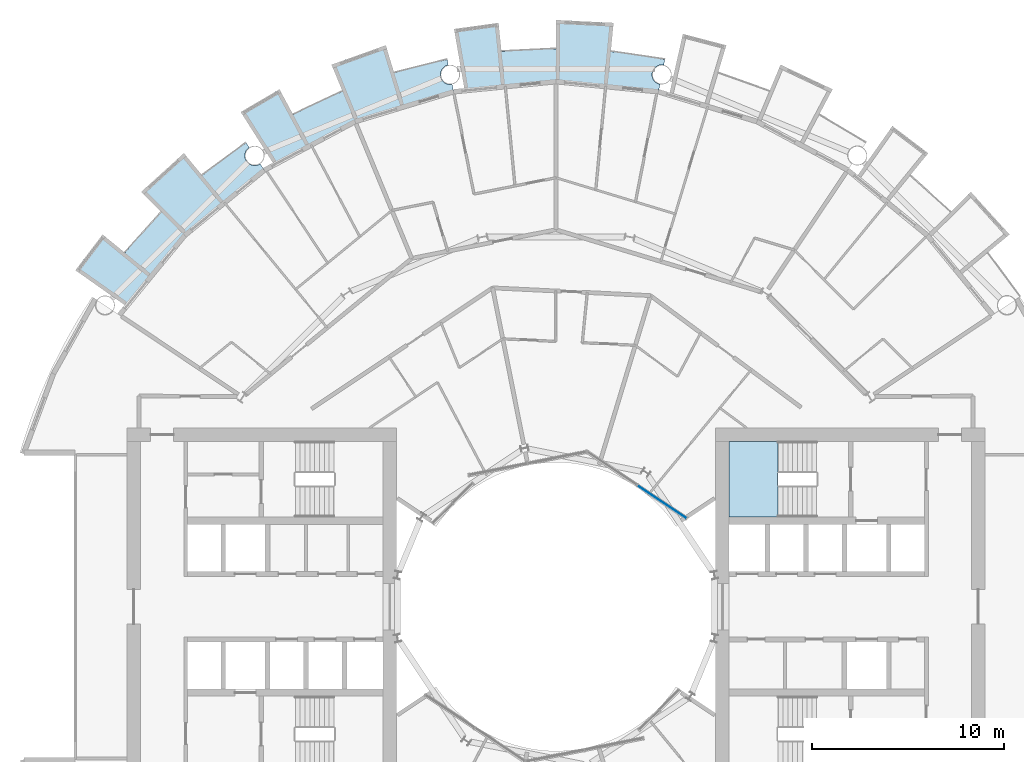
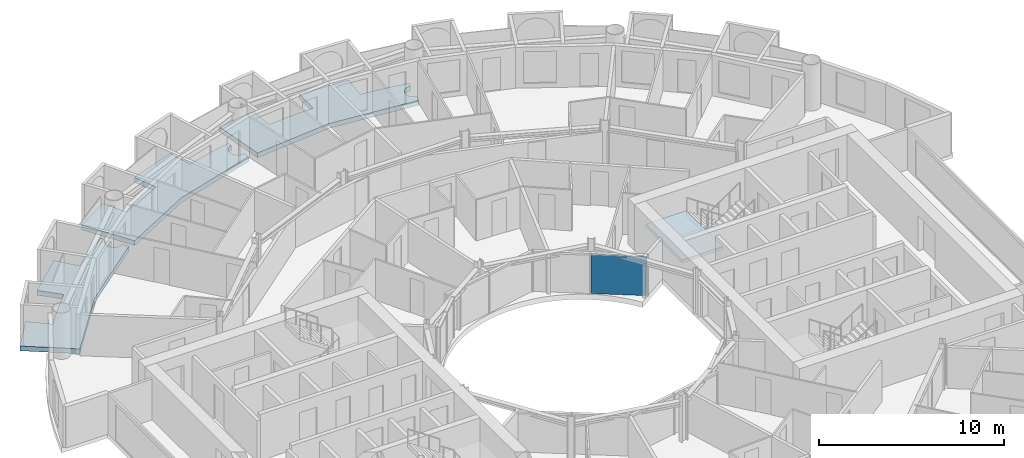
# One storey, part 11 of 26: 4 slabs, 1 plate, 2 elements without a shape of their own.
"""IFC4 building model written with IfcOpenShell, lengths in metres."""

import ifcopenshell
import ifcopenshell.guid

model = None  # the IFC model being written
_history = None  # IfcOwnerHistory: only IFC2X3 demands one
_inside = {}  # id of a spatial element -> (the spatial element, [elements in it])
_under = {}  # id of a project, library or spatial element -> (it, [spatial elements below it])
_declared = {}  # id of a project -> (the project, [libraries it declares])
_typed = {}  # id of a type object -> (the type object, [elements of that type])
_made_of = {}  # id of a material, layer set ... -> (it, [elements and type objects made of it])


def new_model(schema):
    """Start an empty IFC model of exactly this schema.

    Asked for "IFC4X3", IfcOpenShell would pick the latest addendum, in which some entities
    have other attributes; the version numbers below select the first issue.
    IFC2X3 requires an IfcOwnerHistory on every rooted entity: one is made here for all.
    """
    global model, _history
    if schema == "IFC4X3":
        model = ifcopenshell.file(schema_version=(4, 3, 0, 0))
    else:
        model = ifcopenshell.file(schema=schema)
    _inside.clear()
    _under.clear()
    _declared.clear()
    _typed.clear()
    _made_of.clear()
    _history = None
    if model.schema == "IFC2X3":
        org = make("IfcOrganization", Name="unknown")
        user = make(
            "IfcPersonAndOrganization",
            ThePerson=make("IfcPerson", FamilyName="unknown"),
            TheOrganization=org,
        )
        app = make(
            "IfcApplication",
            ApplicationDeveloper=org,
            Version="unknown",
            ApplicationFullName="unknown",
            ApplicationIdentifier="unknown",
        )
        _history = make(
            "IfcOwnerHistory",
            OwningUser=user,
            OwningApplication=app,
            ChangeAction="ADDED",
            CreationDate=0,
        )
    return model


def make(cls, **values):
    """One entity of the class cls with the attributes given. An attribute that is None is left unset."""
    return model.create_entity(
        cls, **{name: value for name, value in values.items() if value is not None}
    )


def rooted(cls, **values):
    """An entity with a GlobalId (a new one), such as an element, a storey or a relation."""
    return make(cls, GlobalId=ifcopenshell.guid.new(), OwnerHistory=_history, **values)


def si_unit(unit_type, name, prefix=None):
    """IfcSIUnit, for example si_unit("LENGTHUNIT", "METRE", prefix="MILLI")."""
    return make("IfcSIUnit", UnitType=unit_type, Prefix=prefix, Name=name)


def assignment(units):
    """IfcUnitAssignment: the units of a project."""
    return None if units is None else make("IfcUnitAssignment", Units=units)


def point(xyz):
    """IfcCartesianPoint."""
    return None if xyz is None else make("IfcCartesianPoint", Coordinates=xyz)


def direction(xyz):
    """IfcDirection."""
    return None if xyz is None else make("IfcDirection", DirectionRatios=xyz)


def frame(location, z_axis=None, x_axis=None):
    """IfcAxis2Placement3D, a coordinate frame: its origin and axes. An axis left out is left unset."""
    return make(
        "IfcAxis2Placement3D",
        Location=point(location),
        Axis=direction(z_axis),
        RefDirection=direction(x_axis),
    )


def frame_2d(location, x_axis=None):
    """IfcAxis2Placement2D, a coordinate frame in the plane: its origin and x axis."""
    return make(
        "IfcAxis2Placement2D", Location=point(location), RefDirection=direction(x_axis)
    )


def origin():
    """The frame at (0, 0, 0) with its axes left unset."""
    return frame((0.0, 0.0, 0.0))


def origin_2d():
    """The frame at (0, 0) in the plane with its x axis left unset."""
    return frame_2d((0.0, 0.0))


def place(relative_to, where):
    """IfcLocalPlacement: puts the frame where relative to a parent placement (None: the world)."""
    return make(
        "IfcLocalPlacement", PlacementRelTo=relative_to, RelativePlacement=where
    )


def context(
    kind, dimensions, precision=None, world=None, true_north=None, identifier=None
):
    """IfcGeometricRepresentationContext, for example the 3D "Model" context."""
    return make(
        "IfcGeometricRepresentationContext",
        ContextIdentifier=identifier,
        ContextType=kind,
        CoordinateSpaceDimension=dimensions,
        Precision=precision,
        WorldCoordinateSystem=world,
        TrueNorth=true_north,
    )


def subcontext(parent, identifier, kind, view, scale=None):
    """IfcGeometricRepresentationSubContext, for example "Body" below "Model"."""
    return make(
        "IfcGeometricRepresentationSubContext",
        ContextIdentifier=identifier,
        ContextType=kind,
        ParentContext=parent,
        TargetScale=scale,
        TargetView=view,
    )


def project(units=None, contexts=None):
    """IfcProject with its units and contexts."""
    return rooted(
        "IfcProject",
        Name="project",
        RepresentationContexts=contexts,
        UnitsInContext=assignment(units),
    )


def spatial(cls, under=None, at=None, **own):
    """A site, building, storey or space (cls), placed at a placement, below another one or the project."""
    s = rooted(cls, ObjectPlacement=at, **own)
    if under is not None:
        _under.setdefault(under.id(), (under, []))[1].append(s)
    return s


def polyline(points):
    """IfcPolyline through the points."""
    return make("IfcPolyline", Points=[point(p) for p in points])


def profile(cls, at=None, kind="AREA", **sizes):
    """A parametric profile (cls). Its sizes go by their IFC names, for example OverallWidth=200.0."""
    return make(cls, ProfileType=kind, Position=at, **sizes)


def rectangle(**sizes):
    """IfcRectangleProfileDef."""
    return profile("IfcRectangleProfileDef", **sizes)


def outline(outer, holes=None, kind="AREA"):
    """IfcArbitraryClosedProfileDef: a profile drawn as a closed curve; with holes, ...WithVoids."""
    if holes is None:
        return make("IfcArbitraryClosedProfileDef", ProfileType=kind, OuterCurve=outer)
    return make(
        "IfcArbitraryProfileDefWithVoids",
        ProfileType=kind,
        OuterCurve=outer,
        InnerCurves=holes,
    )


def extrude(swept, where, along, depth):
    """IfcExtrudedAreaSolid: the profile swept, set in the frame where, extruded along a direction by depth."""
    return make(
        "IfcExtrudedAreaSolid",
        SweptArea=swept,
        Position=where,
        ExtrudedDirection=direction(along),
        Depth=depth,
    )


def shape(context_of_items, identifier, shape_type, items):
    """IfcShapeRepresentation: the items that make up one representation, for example the "Body"."""
    return make(
        "IfcShapeRepresentation",
        ContextOfItems=context_of_items,
        RepresentationIdentifier=identifier,
        RepresentationType=shape_type,
        Items=items,
    )


def material(Name=None, Category=None):
    """IfcMaterial."""
    return make("IfcMaterial", Name=Name, Category=Category)


def layer(
    of_material, thickness, ventilated=None, Name=None, Category=None, Priority=None
):
    """IfcMaterialLayer: one layer of a wall or slab, of a material (None: an air gap)."""
    return make(
        "IfcMaterialLayer",
        Material=of_material,
        LayerThickness=thickness,
        IsVentilated=ventilated,
        Name=Name,
        Category=Category,
        Priority=Priority,
    )


def layer_set(layers, Name=None):
    """IfcMaterialLayerSet."""
    return make("IfcMaterialLayerSet", MaterialLayers=layers, LayerSetName=Name)


def made_of(thing, what):
    """Note that an element or type object is made of a material, layer set ...; save() writes the relation."""
    if what is not None:
        _made_of.setdefault(what.id(), (what, []))[1].append(thing)
    return thing


def type_object(cls, material=None, **own):
    """A type object (cls), such as IfcWallType, which elements share."""
    return made_of(rooted(cls, **own), material)


def element(
    cls,
    number,
    at=None,
    inside=None,
    cuts=None,
    type_object=None,
    material=None,
    context=None,
    identifier="Body",
    shape_type=None,
    held_by="IfcProductDefinitionShape",
    body=None,
    shapes=None,
    **own,
):
    """One element of the class cls, such as IfcWall. Its Tag is "e" and its number.

    at: its placement. inside: the storey or other place that contains it. cuts: it is an
    opening in that element (IfcRelVoidsElement). A single representation is given by context,
    identifier, shape_type and body (its items); several are given by shapes. held_by: the class
    of the entity that holds the representations. save() writes the other relations.
    """
    e = rooted(cls, Tag="e%d" % number, ObjectPlacement=at, **own)
    if body is not None:
        shapes = [shape(context, identifier, shape_type, body)]
    if shapes is not None:
        e.Representation = make(held_by, Representations=shapes)
    if inside is not None:
        _inside.setdefault(inside.id(), (inside, []))[1].append(e)
    if cuts is not None:
        rooted(
            "IfcRelVoidsElement", RelatingBuildingElement=cuts, RelatedOpeningElement=e
        )
    if type_object is not None:
        _typed.setdefault(type_object.id(), (type_object, []))[1].append(e)
    return made_of(e, material)


def aggregate(whole, parts):
    """IfcRelAggregates: a whole, such as a stair, and the parts it consists of."""
    return rooted("IfcRelAggregates", RelatingObject=whole, RelatedObjects=parts)


def save(model, path):
    """Write the relations noted so far, then the file.

    IfcRelAggregates (storeys below a building ...), IfcRelContainedInSpatialStructure (elements
    in a storey), IfcRelDefinesByType, IfcRelAssociatesMaterial and IfcRelDeclares: one each for
    every whole, place, type object, material and project.
    """
    for whole, parts in _under.values():
        aggregate(whole, parts)
    for where, things in _inside.values():
        rooted(
            "IfcRelContainedInSpatialStructure",
            RelatedElements=things,
            RelatingStructure=where,
        )
    for kind, things in _typed.values():
        rooted("IfcRelDefinesByType", RelatedObjects=things, RelatingType=kind)
    for what, things in _made_of.values():
        rooted("IfcRelAssociatesMaterial", RelatedObjects=things, RelatingMaterial=what)
    for by, libraries in _declared.values():
        rooted("IfcRelDeclares", RelatingContext=by, RelatedDefinitions=libraries)
    model.write(path)


model = new_model("IFC4")

# Units and contexts
model_context = context("Model", 3, precision=1e-05, world=origin(), true_north=direction((0.0, 1.0)))
body_context = subcontext(model_context, "Body", "Model", "MODEL_VIEW")
ifc_project = project(units=[si_unit("LENGTHUNIT", "METRE"), si_unit("AREAUNIT", "SQUARE_METRE"), si_unit("VOLUMEUNIT", "CUBIC_METRE"), si_unit("PLANEANGLEUNIT", "RADIAN"), si_unit("MASSUNIT", "GRAM", prefix="KILO")], contexts=[model_context])

# Site, building, storey
site_placement = place(None, origin())
site = spatial("IfcSite", under=ifc_project, at=site_placement, CompositionType="ELEMENT")
building_placement = place(site_placement, origin())
building = spatial("IfcBuilding", under=site, at=building_placement, Name="Maasbend Ring Residences", CompositionType="ELEMENT")
storey_placement = place(building_placement, frame((0.0, 0.0, 88.0)))
storey = spatial("IfcBuildingStorey", under=building, at=storey_placement, Name="L25", CompositionType="ELEMENT", Elevation=88.0)

# Stair, slab
ifc_material_1 = material(Name="Concrete C40/50", Category="concrete")
stair_type = type_object("IfcStairType", Name="CORE STAIR 18 RISERS", PredefinedType="HALF_TURN_STAIR", material=ifc_material_1)
stair_placement = place(storey_placement, origin())
stair = element("IfcStair", 1, at=stair_placement, inside=storey, type_object=stair_type, Name="L25 Exit stair ST-E1", PredefinedType="HALF_TURN_STAIR")
ifc_material_2 = material(Name="Concrete C40/50", Category="concrete")
ifc_layer_1 = layer(ifc_material_2, 0.199951171875)
ifc_layer_set_1 = layer_set([ifc_layer_1], Name="Concrete C40/50")
slab_type_1 = type_object("IfcSlabType", Name="CORE STAIR LANDING 200", PredefinedType="LANDING", material=ifc_layer_set_1)
slab_1_placement = place(storey_placement, frame((0.0, 0.0, 1.324951171875)))
slab_1 = element("IfcSlab", 2, at=slab_1_placement, type_object=slab_type_1, Name="ST-E1 landing 1", PredefinedType="LANDING", context=body_context, shape_type="SweptSolid", body=[
    extrude(outline(polyline([(11.550048828125, 8.60009765625), (9.0, 8.60009765625), (9.0, 4.64990234375), (11.550048828125, 4.64990234375), (11.550048828125, 8.60009765625)])), origin(), (0.0, 0.0, 1.0), 0.199951171875),
])
aggregate(stair, [slab_1])

# Curtain wall, plate
ifc_material_3 = material(Name="Aluminium and clear glass", Category="aluminium")
ifc_layer_2 = layer(ifc_material_3, 0.179931640625)
ifc_layer_set_2 = layer_set([ifc_layer_2], Name="CW-W")
curtain_wall_type = type_object("IfcCurtainWallType", Name="CW-W", PredefinedType="NOTDEFINED", material=ifc_layer_set_2)
curtain_wall_placement = place(storey_placement, origin())
curtain_wall = element("IfcCurtainWall", 3, at=curtain_wall_placement, inside=storey, type_object=curtain_wall_type, Name="Well curtain wall N1", PredefinedType="NOTDEFINED")
ifc_material_4 = material(Name="Glass clear laminated", Category="glass")
ifc_layer_3 = layer(ifc_material_4, 0.031982421875)
ifc_layer_set_3 = layer_set([ifc_layer_3], Name="CWP-W")
plate_type = type_object("IfcPlateType", Name="CWP-W", PredefinedType="CURTAIN_PANEL", material=ifc_layer_set_3)
plate_placement = place(storey_placement, frame((5.51123046875, 5.44580078125, 0.0), z_axis=(0.0, 0.0, 1.0), x_axis=(-0.831469612303, 0.55557023302, 0.0)))
plate = element("IfcPlate", 4, at=plate_placement, type_object=plate_type, Name="Glass panel well face", PredefinedType="CURTAIN_PANEL", context=body_context, shape_type="SweptSolid", body=[
    extrude(rectangle(XDim=3.053955078125, YDim=0.031982421875, at=origin_2d()), origin(), (0.0, 0.0, 1.0), 2.580078125),
])
aggregate(curtain_wall, [plate])

# Slabs
ifc_material_5 = material(Name="Concrete C40/50", Category="concrete")
ifc_layer_4 = layer(ifc_material_5, 0.199951171875)
ifc_layer_set_4 = layer_set([ifc_layer_4], Name="Concrete C40/50")
slab_type_2 = type_object("IfcSlabType", Name="SL-LOGGIA", PredefinedType="FLOOR", material=ifc_layer_set_4)
slab_2_placement = place(storey_placement, frame((0.0, 0.0, -0.35009765625)))
element("IfcSlab", 5, at=slab_2_placement, inside=storey, type_object=slab_type_2, Name="Loggia floor 2", PredefinedType="FLOOR", context=body_context, shape_type="SweptSolid", body=[
    extrude(outline(polyline([(-13.6708984375, 25.575927734375), (-13.6708984375, 25.575927734375), (-13.6708984375, 25.575927734375), (-13.6708984375, 25.575927734375), (-13.6708984375, 25.575927734375), (-13.6708984375, 25.575927734375), (-13.6708984375, 25.575927734375), (-13.669921875, 25.575927734375), (-13.669921875, 25.575927734375), (-13.669921875, 25.575927734375), (-13.669921875, 25.575927734375), (-13.669921875, 25.575927734375), (-13.669921875, 25.575927734375), (-13.669921875, 25.575927734375), (-13.669921875, 25.575927734375), (-13.669921875, 25.575927734375), (-13.669921875, 25.575927734375), (-12.825927734375, 26.009033203125), (-12.825927734375, 26.009033203125), (-11.968994140625, 26.4150390625), (-11.968994140625, 26.4150390625), (-11.097900390625, 26.7919921875), (-11.097900390625, 26.7919921875), (-11.097900390625, 26.7919921875), (-11.097900390625, 26.7919921875), (-11.097900390625, 26.7919921875), (-11.097900390625, 26.7919921875), (-11.097900390625, 26.7919921875), (-11.097900390625, 26.79296875), (-11.097900390625, 26.79296875), (-11.097900390625, 26.79296875), (-11.097900390625, 26.79296875), (-11.097900390625, 26.79296875), (-11.097900390625, 26.79296875), (-11.097900390625, 26.79296875), (-11.097900390625, 26.79296875), (-11.097900390625, 26.79296875), (-11.097900390625, 26.79296875), (-11.672119140625, 28.177978515625), (-11.672119140625, 28.177978515625), (-11.672119140625, 28.177978515625), (-8.85400390625, 29.18701171875), (-8.85400390625, 29.18701171875), (-8.85400390625, 29.18701171875), (-8.41796875, 27.751953125), (-8.41796875, 27.751953125), (-8.41796875, 27.751953125), (-8.41796875, 27.751953125), (-8.41796875, 27.751953125), (-8.41796875, 27.751953125), (-8.41796875, 27.751953125), (-8.41796875, 27.7509765625), (-8.41796875, 27.7509765625), (-8.41796875, 27.7509765625), (-8.41796875, 27.7509765625), (-8.41796875, 27.7509765625), (-8.41796875, 27.7509765625), (-8.41796875, 27.7509765625), (-8.41796875, 27.7509765625), (-8.41796875, 27.7509765625), (-8.41796875, 27.7509765625), (-7.506103515625, 28.011962890625), (-7.506103515625, 28.011962890625), (-6.5849609375, 28.241943359375), (-6.5849609375, 28.241943359375), (-5.657958984375, 28.443115234375), (-5.657958984375, 28.443115234375), (-5.657958984375, 28.443115234375), (-5.60107421875, 28.156005859375), (-5.613037109375, 28.154052734375), (-5.625, 28.15087890625), (-5.636962890625, 28.14794921875), (-5.64892578125, 28.14404296875), (-5.660888671875, 28.139892578125), (-5.673095703125, 28.135986328125), (-5.68408203125, 28.132080078125), (-5.696044921875, 28.126953125), (-5.70703125, 28.123046875), (-5.718994140625, 28.116943359375), (-5.72998046875, 28.112060546875), (-5.740966796875, 28.10595703125), (-5.751953125, 28.10009765625), (-5.762939453125, 28.093994140625), (-5.77294921875, 28.0869140625), (-5.783935546875, 28.080078125), (-5.7939453125, 28.072998046875), (-5.803955078125, 28.06591796875), (-5.81396484375, 28.05908203125), (-5.823974609375, 28.051025390625), (-5.8330078125, 28.04296875), (-5.843017578125, 28.034912109375), (-5.85205078125, 28.02587890625), (-5.861083984375, 28.01708984375), (-5.868896484375, 28.008056640625), (-5.8779296875, 27.9990234375), (-5.885986328125, 27.989990234375), (-5.89404296875, 27.97998046875), (-5.902099609375, 27.970947265625), (-5.909912109375, 27.9609375), (-5.9169921875, 27.950927734375), (-5.924072265625, 27.93994140625), (-5.930908203125, 27.929931640625), (-5.93701171875, 27.9189453125), (-5.944091796875, 27.907958984375), (-5.949951171875, 27.89794921875), (-5.955078125, 27.886962890625), (-5.9609375, 27.875), (-5.966064453125, 27.864013671875), (-5.970947265625, 27.85302734375), (-5.97509765625, 27.841064453125), (-5.97998046875, 27.8291015625), (-5.98388671875, 27.81689453125), (-5.988037109375, 27.805908203125), (-5.990966796875, 27.7939453125), (-5.993896484375, 27.781982421875), (-5.9970703125, 27.76904296875), (-6.0, 27.757080078125), (-6.001953125, 27.7451171875), (-6.00390625, 27.73291015625), (-6.006103515625, 27.719970703125), (-6.007080078125, 27.7080078125), (-6.008056640625, 27.695068359375), (-6.009033203125, 27.68310546875), (-6.009033203125, 27.6708984375), (-6.010009765625, 27.657958984375), (-6.009033203125, 27.64599609375), (-6.009033203125, 27.633056640625), (-6.008056640625, 27.62109375), (-6.007080078125, 27.60791015625), (-6.006103515625, 27.595947265625), (-6.00390625, 27.583984375), (-6.001953125, 27.571044921875), (-6.0, 27.55908203125), (-5.9970703125, 27.547119140625), (-5.993896484375, 27.534912109375), (-5.990966796875, 27.52294921875), (-5.988037109375, 27.510986328125), (-5.98388671875, 27.4990234375), (-5.97998046875, 27.487060546875), (-5.97509765625, 27.47509765625), (-5.970947265625, 27.464111328125), (-5.966064453125, 27.451904296875), (-5.9609375, 27.44091796875), (-5.955078125, 27.429931640625), (-5.949951171875, 27.4189453125), (-5.944091796875, 27.407958984375), (-5.93701171875, 27.39697265625), (-5.930908203125, 27.385986328125), (-5.924072265625, 27.3759765625), (-5.9169921875, 27.365966796875), (-5.909912109375, 27.35498046875), (-5.902099609375, 27.345947265625), (-5.89404296875, 27.3359375), (-5.885986328125, 27.325927734375), (-5.8779296875, 27.31689453125), (-5.868896484375, 27.30810546875), (-5.861083984375, 27.299072265625), (-5.85205078125, 27.2900390625), (-5.843017578125, 27.281982421875), (-5.8330078125, 27.27294921875), (-5.823974609375, 27.264892578125), (-5.81396484375, 27.258056640625), (-5.803955078125, 27.25), (-5.7939453125, 27.242919921875), (-5.783935546875, 27.236083984375), (-5.77294921875, 27.22900390625), (-5.762939453125, 27.221923828125), (-5.751953125, 27.216064453125), (-5.740966796875, 27.2099609375), (-5.72998046875, 27.2041015625), (-5.718994140625, 27.198974609375), (-5.70703125, 27.194091796875), (-5.696044921875, 27.18896484375), (-5.68408203125, 27.18408203125), (-5.673095703125, 27.179931640625), (-5.660888671875, 27.176025390625), (-5.64892578125, 27.172119140625), (-5.636962890625, 27.1689453125), (-5.625, 27.1650390625), (-5.613037109375, 27.162109375), (-5.60107421875, 27.159912109375), (-5.587890625, 27.157958984375), (-5.575927734375, 27.156005859375), (-5.56396484375, 27.154052734375), (-5.551025390625, 27.153076171875), (-5.5390625, 27.15087890625), (-5.52587890625, 27.15087890625), (-5.513916015625, 27.14990234375), (-5.501953125, 27.14990234375), (-5.489013671875, 27.14990234375), (-5.47705078125, 27.15087890625), (-5.464111328125, 27.15087890625), (-5.451904296875, 27.153076171875), (-5.43896484375, 27.154052734375), (-5.427001953125, 27.156005859375), (-5.4150390625, 27.157958984375), (-5.402099609375, 27.159912109375), (-5.325927734375, 26.77490234375), (-5.325927734375, 26.77490234375), (-5.325927734375, 26.77490234375), (-7.886962890625, 25.9990234375), (-10.447021484375, 25.221923828125), (-10.447021484375, 25.221923828125), (-10.447021484375, 25.221923828125), (-12.806884765625, 23.9609375), (-14.64599609375, 22.97705078125), (-14.64599609375, 22.97705078125), (-14.64599609375, 22.97705078125), (-16.39404296875, 25.718994140625), (-16.39404296875, 25.718994140625), (-16.39404296875, 25.718994140625), (-14.3779296875, 26.89892578125), (-14.3779296875, 26.89892578125), (-14.3779296875, 26.89892578125), (-13.6708984375, 25.575927734375)])), origin(), (0.0, 0.0, 1.0), 0.320068359375),
])
slab_3_placement = place(storey_placement, frame((0.0, 0.0, -0.35009765625)))
element("IfcSlab", 6, at=slab_3_placement, inside=storey, type_object=slab_type_2, Name="Loggia floor 3", PredefinedType="FLOOR", context=body_context, shape_type="SweptSolid", body=[
    extrude(outline(polyline([(-2.843017578125, 28.861083984375), (-2.843017578125, 28.861083984375), (-2.843017578125, 28.861083984375), (-2.843017578125, 28.861083984375), (-2.842041015625, 28.861083984375), (-2.842041015625, 28.861083984375), (-2.842041015625, 28.861083984375), (-2.842041015625, 28.861083984375), (-2.842041015625, 28.861083984375), (-2.842041015625, 28.860107421875), (-2.842041015625, 28.860107421875), (-2.842041015625, 28.860107421875), (-2.842041015625, 28.860107421875), (-2.842041015625, 28.860107421875), (-2.842041015625, 28.860107421875), (-2.842041015625, 28.860107421875), (-2.842041015625, 28.860107421875), (-1.89697265625, 28.93798828125), (-1.89697265625, 28.93798828125), (-0.948974609375, 28.98388671875), (-0.948974609375, 28.98388671875), (0.0, 29.0), (0.0, 29.0), (0.0, 29.0), (0.0, 29.0), (0.0, 29.0), (0.0, 29.0), (0.0, 29.0), (0.0, 29.0), (0.0, 29.0), (0.0, 29.0), (0.0, 29.0), (0.0, 29.0), (0.0, 29.0), (0.0, 29.0), (0.0, 29.0), (0.0, 29.0), (0.0, 29.0), (0.0, 30.5), (0.0, 30.5), (0.0, 30.5), (2.989990234375, 30.35302734375), (2.989990234375, 30.35302734375), (2.989990234375, 30.35302734375), (2.843017578125, 28.861083984375), (2.843017578125, 28.861083984375), (2.843017578125, 28.861083984375), (2.843017578125, 28.861083984375), (2.843017578125, 28.861083984375), (2.843017578125, 28.861083984375), (2.843017578125, 28.861083984375), (2.843017578125, 28.861083984375), (2.843017578125, 28.860107421875), (2.843017578125, 28.860107421875), (2.843017578125, 28.860107421875), (2.843017578125, 28.860107421875), (2.843017578125, 28.860107421875), (2.843017578125, 28.860107421875), (2.843017578125, 28.860107421875), (2.843017578125, 28.860107421875), (2.843017578125, 28.860107421875), (3.784912109375, 28.751953125), (3.784912109375, 28.751953125), (4.72412109375, 28.613037109375), (4.72412109375, 28.613037109375), (5.657958984375, 28.443115234375), (5.657958984375, 28.443115234375), (5.657958984375, 28.443115234375), (5.60107421875, 28.156005859375), (5.60107421875, 28.156005859375), (5.587890625, 28.158935546875), (5.575927734375, 28.160888671875), (5.56396484375, 28.162109375), (5.551025390625, 28.1640625), (5.5390625, 28.1650390625), (5.52587890625, 28.1650390625), (5.513916015625, 28.166015625), (5.501953125, 28.166015625), (5.489013671875, 28.166015625), (5.47705078125, 28.1650390625), (5.464111328125, 28.1650390625), (5.451904296875, 28.1640625), (5.43896484375, 28.162109375), (5.427001953125, 28.160888671875), (5.4150390625, 28.158935546875), (5.402099609375, 28.156005859375), (5.389892578125, 28.154052734375), (5.3779296875, 28.15087890625), (5.365966796875, 28.14794921875), (5.35400390625, 28.14404296875), (5.342041015625, 28.139892578125), (5.330078125, 28.135986328125), (5.319091796875, 28.132080078125), (5.306884765625, 28.126953125), (5.2958984375, 28.123046875), (5.283935546875, 28.116943359375), (5.27294921875, 28.112060546875), (5.261962890625, 28.10595703125), (5.2509765625, 28.10009765625), (5.239990234375, 28.093994140625), (5.22998046875, 28.0869140625), (5.218994140625, 28.080078125), (5.208984375, 28.072998046875), (5.198974609375, 28.06591796875), (5.18896484375, 28.05908203125), (5.178955078125, 28.051025390625), (5.169921875, 28.04296875), (5.159912109375, 28.034912109375), (5.15087890625, 28.02587890625), (5.14208984375, 28.01708984375), (5.134033203125, 28.008056640625), (5.125, 27.9990234375), (5.116943359375, 27.989990234375), (5.10888671875, 27.97998046875), (5.10107421875, 27.970947265625), (5.093017578125, 27.9609375), (5.0859375, 27.950927734375), (5.0791015625, 27.93994140625), (5.072021484375, 27.929931640625), (5.06591796875, 27.9189453125), (5.05908203125, 27.907958984375), (5.052978515625, 27.89794921875), (5.048095703125, 27.886962890625), (5.0419921875, 27.875), (5.037109375, 27.864013671875), (5.031982421875, 27.85302734375), (5.028076171875, 27.841064453125), (5.02294921875, 27.8291015625), (5.01904296875, 27.81689453125), (5.014892578125, 27.805908203125), (5.011962890625, 27.7939453125), (5.009033203125, 27.781982421875), (5.006103515625, 27.76904296875), (5.0029296875, 27.757080078125), (5.0009765625, 27.7451171875), (4.9990234375, 27.73291015625), (4.9970703125, 27.719970703125), (4.99609375, 27.7080078125), (4.9951171875, 27.695068359375), (4.993896484375, 27.68310546875), (4.993896484375, 27.6708984375), (4.993896484375, 27.657958984375), (4.993896484375, 27.64599609375), (4.993896484375, 27.633056640625), (4.9951171875, 27.62109375), (4.99609375, 27.60791015625), (4.9970703125, 27.595947265625), (4.9990234375, 27.583984375), (5.0009765625, 27.571044921875), (5.0029296875, 27.55908203125), (5.006103515625, 27.547119140625), (5.009033203125, 27.534912109375), (5.011962890625, 27.52294921875), (5.014892578125, 27.510986328125), (5.01904296875, 27.4990234375), (5.02294921875, 27.487060546875), (5.028076171875, 27.47509765625), (5.031982421875, 27.464111328125), (5.037109375, 27.451904296875), (5.0419921875, 27.44091796875), (5.048095703125, 27.429931640625), (5.052978515625, 27.4189453125), (5.05908203125, 27.407958984375), (5.06591796875, 27.39697265625), (5.072021484375, 27.385986328125), (5.0791015625, 27.3759765625), (5.0859375, 27.365966796875), (5.093017578125, 27.35498046875), (5.10107421875, 27.345947265625), (5.10888671875, 27.3359375), (5.116943359375, 27.325927734375), (5.125, 27.31689453125), (5.134033203125, 27.30810546875), (5.14208984375, 27.299072265625), (5.15087890625, 27.2900390625), (5.159912109375, 27.281982421875), (5.169921875, 27.27294921875), (5.178955078125, 27.264892578125), (5.18896484375, 27.258056640625), (5.198974609375, 27.25), (5.208984375, 27.242919921875), (5.218994140625, 27.236083984375), (5.22998046875, 27.22900390625), (5.239990234375, 27.221923828125), (5.2509765625, 27.216064453125), (5.261962890625, 27.2099609375), (5.27294921875, 27.2041015625), (5.283935546875, 27.198974609375), (5.2958984375, 27.194091796875), (5.306884765625, 27.18896484375), (5.319091796875, 27.18408203125), (5.330078125, 27.179931640625), (5.342041015625, 27.176025390625), (5.35400390625, 27.172119140625), (5.365966796875, 27.1689453125), (5.3779296875, 27.1650390625), (5.389892578125, 27.162109375), (5.402099609375, 27.159912109375), (5.402099609375, 27.159912109375), (5.325927734375, 26.77490234375), (5.325927734375, 26.77490234375), (5.325927734375, 26.77490234375), (2.6630859375, 27.0380859375), (0.0, 27.300048828125), (0.0, 27.300048828125), (0.0, 27.300048828125), (-2.6630859375, 27.0380859375), (-4.739013671875, 26.8330078125), (-4.739013671875, 26.8330078125), (-4.739013671875, 26.8330078125), (-5.303955078125, 30.034912109375), (-5.303955078125, 30.034912109375), (-5.303955078125, 30.034912109375), (-2.989990234375, 30.35302734375), (-2.989990234375, 30.35302734375), (-2.989990234375, 30.35302734375), (-2.843017578125, 28.861083984375)])), origin(), (0.0, 0.0, 1.0), 0.320068359375),
])
slab_4_placement = place(storey_placement, frame((0.0, 0.0, -0.35009765625)))
element("IfcSlab", 7, at=slab_4_placement, inside=storey, type_object=slab_type_2, Name="Loggia floor 5", PredefinedType="FLOOR", context=body_context, shape_type="SweptSolid", body=[
    extrude(outline(polyline([(-22.41796875, 18.39794921875), (-22.41796875, 18.39794921875), (-22.41796875, 18.39794921875), (-22.41796875, 18.39794921875), (-22.41796875, 18.39794921875), (-22.4169921875, 18.39794921875), (-22.4169921875, 18.39794921875), (-22.4169921875, 18.39794921875), (-22.4169921875, 18.39794921875), (-22.4169921875, 18.39794921875), (-22.4169921875, 18.39794921875), (-22.4169921875, 18.39794921875), (-22.4169921875, 18.39794921875), (-22.4169921875, 18.39794921875), (-22.4169921875, 18.39794921875), (-22.4169921875, 18.39794921875), (-22.4169921875, 18.39794921875), (-21.802978515625, 19.12109375), (-21.802978515625, 19.12109375), (-21.166015625, 19.823974609375), (-21.166015625, 19.823974609375), (-20.506103515625, 20.506103515625), (-20.506103515625, 20.506103515625), (-20.506103515625, 20.506103515625), (-20.506103515625, 20.506103515625), (-20.506103515625, 20.506103515625), (-20.506103515625, 20.506103515625), (-20.506103515625, 20.506103515625), (-20.506103515625, 20.506103515625), (-20.506103515625, 20.506103515625), (-20.506103515625, 20.506103515625), (-20.506103515625, 20.506103515625), (-20.506103515625, 20.506103515625), (-20.506103515625, 20.506103515625), (-20.506103515625, 20.506103515625), (-20.506103515625, 20.506103515625), (-20.506103515625, 20.506103515625), (-20.506103515625, 20.506103515625), (-21.56689453125, 21.56689453125), (-21.56689453125, 21.56689453125), (-21.56689453125, 21.56689453125), (-19.34912109375, 23.576904296875), (-19.34912109375, 23.576904296875), (-19.34912109375, 23.576904296875), (-18.39794921875, 22.41796875), (-18.39794921875, 22.41796875), (-18.39794921875, 22.41796875), (-18.39794921875, 22.41796875), (-18.39794921875, 22.41796875), (-18.39794921875, 22.41796875), (-18.39697265625, 22.41796875), (-18.39697265625, 22.41796875), (-18.39697265625, 22.41796875), (-18.39697265625, 22.41796875), (-18.39697265625, 22.41796875), (-18.39697265625, 22.41796875), (-18.39697265625, 22.41796875), (-18.39697265625, 22.41796875), (-18.39697265625, 22.41796875), (-18.39697265625, 22.41796875), (-18.39697265625, 22.41796875), (-17.654052734375, 23.007080078125), (-17.654052734375, 23.007080078125), (-16.89208984375, 23.572998046875), (-16.89208984375, 23.572998046875), (-16.112060546875, 24.113037109375), (-16.112060546875, 24.113037109375), (-16.112060546875, 24.113037109375), (-15.948974609375, 23.8701171875), (-15.948974609375, 23.8701171875), (-15.9599609375, 23.863037109375), (-15.969970703125, 23.85498046875), (-15.97998046875, 23.847900390625), (-15.989013671875, 23.840087890625), (-15.9990234375, 23.83203125), (-16.008056640625, 23.823974609375), (-16.01708984375, 23.81494140625), (-16.02587890625, 23.806884765625), (-16.034912109375, 23.798095703125), (-16.0439453125, 23.7890625), (-16.052001953125, 23.779052734375), (-16.06005859375, 23.77001953125), (-16.068115234375, 23.760009765625), (-16.074951171875, 23.75), (-16.08203125, 23.739990234375), (-16.089111328125, 23.72998046875), (-16.095947265625, 23.718994140625), (-16.10302734375, 23.708984375), (-16.10888671875, 23.697998046875), (-16.114990234375, 23.68701171875), (-16.12109375, 23.676025390625), (-16.1259765625, 23.6650390625), (-16.132080078125, 23.653076171875), (-16.135986328125, 23.64208984375), (-16.14111328125, 23.6298828125), (-16.14501953125, 23.618896484375), (-16.14892578125, 23.60693359375), (-16.153076171875, 23.594970703125), (-16.156982421875, 23.5830078125), (-16.159912109375, 23.571044921875), (-16.1630859375, 23.55908203125), (-16.1650390625, 23.547119140625), (-16.16796875, 23.533935546875), (-16.169921875, 23.52197265625), (-16.1708984375, 23.510009765625), (-16.173095703125, 23.4970703125), (-16.174072265625, 23.485107421875), (-16.174072265625, 23.471923828125), (-16.175048828125, 23.4599609375), (-16.175048828125, 23.447021484375), (-16.175048828125, 23.43505859375), (-16.174072265625, 23.422119140625), (-16.174072265625, 23.409912109375), (-16.173095703125, 23.39794921875), (-16.1708984375, 23.385009765625), (-16.169921875, 23.373046875), (-16.16796875, 23.361083984375), (-16.1650390625, 23.347900390625), (-16.1630859375, 23.3359375), (-16.159912109375, 23.323974609375), (-16.156982421875, 23.31201171875), (-16.153076171875, 23.300048828125), (-16.14892578125, 23.2880859375), (-16.14501953125, 23.27587890625), (-16.14111328125, 23.264892578125), (-16.135986328125, 23.2529296875), (-16.132080078125, 23.241943359375), (-16.1259765625, 23.22998046875), (-16.12109375, 23.218994140625), (-16.114990234375, 23.2080078125), (-16.10888671875, 23.197021484375), (-16.10302734375, 23.18603515625), (-16.095947265625, 23.176025390625), (-16.089111328125, 23.1650390625), (-16.08203125, 23.155029296875), (-16.074951171875, 23.14501953125), (-16.068115234375, 23.135009765625), (-16.06005859375, 23.125), (-16.052001953125, 23.115966796875), (-16.0439453125, 23.10595703125), (-16.034912109375, 23.096923828125), (-16.02587890625, 23.087890625), (-16.01708984375, 23.0791015625), (-16.008056640625, 23.071044921875), (-15.9990234375, 23.06298828125), (-15.989013671875, 23.054931640625), (-15.97998046875, 23.047119140625), (-15.969970703125, 23.0390625), (-15.9599609375, 23.031982421875), (-15.948974609375, 23.02490234375), (-15.93896484375, 23.01806640625), (-15.927978515625, 23.011962890625), (-15.9169921875, 23.0048828125), (-15.906982421875, 22.9990234375), (-15.89599609375, 22.993896484375), (-15.884033203125, 22.988037109375), (-15.873046875, 22.98291015625), (-15.862060546875, 22.97802734375), (-15.85009765625, 22.972900390625), (-15.837890625, 22.968994140625), (-15.825927734375, 22.965087890625), (-15.81494140625, 22.9609375), (-15.802978515625, 22.9580078125), (-15.791015625, 22.955078125), (-15.778076171875, 22.951904296875), (-15.76611328125, 22.948974609375), (-15.75390625, 22.947021484375), (-15.741943359375, 22.945068359375), (-15.72900390625, 22.943115234375), (-15.717041015625, 22.94189453125), (-15.7041015625, 22.94091796875), (-15.69189453125, 22.93994140625), (-15.679931640625, 22.93994140625), (-15.6669921875, 22.93896484375), (-15.655029296875, 22.93994140625), (-15.64208984375, 22.93994140625), (-15.6298828125, 22.94091796875), (-15.616943359375, 22.94189453125), (-15.60498046875, 22.943115234375), (-15.593017578125, 22.945068359375), (-15.580078125, 22.947021484375), (-15.568115234375, 22.948974609375), (-15.555908203125, 22.951904296875), (-15.5439453125, 22.955078125), (-15.531982421875, 22.9580078125), (-15.52001953125, 22.9609375), (-15.508056640625, 22.965087890625), (-15.49609375, 22.968994140625), (-15.48388671875, 22.972900390625), (-15.472900390625, 22.97802734375), (-15.4609375, 22.98291015625), (-15.449951171875, 22.988037109375), (-15.43896484375, 22.993896484375), (-15.427978515625, 22.9990234375), (-15.4169921875, 23.0048828125), (-15.406005859375, 23.011962890625), (-15.39501953125, 23.01806640625), (-15.385009765625, 23.02490234375), (-15.385009765625, 23.02490234375), (-15.1669921875, 22.698974609375), (-15.1669921875, 22.698974609375), (-15.1669921875, 22.698974609375), (-17.236083984375, 21.001953125), (-19.303955078125, 19.303955078125), (-19.303955078125, 19.303955078125), (-19.303955078125, 19.303955078125), (-21.001953125, 17.236083984375), (-22.324951171875, 15.623046875), (-22.324951171875, 15.623046875), (-22.324951171875, 15.623046875), (-24.989013671875, 17.488037109375), (-24.989013671875, 17.488037109375), (-24.989013671875, 17.488037109375), (-23.576904296875, 19.34912109375), (-23.576904296875, 19.34912109375), (-23.576904296875, 19.34912109375), (-22.41796875, 18.39794921875)])), origin(), (0.0, 0.0, 1.0), 0.320068359375),
])

save(model, "model.ifc")
